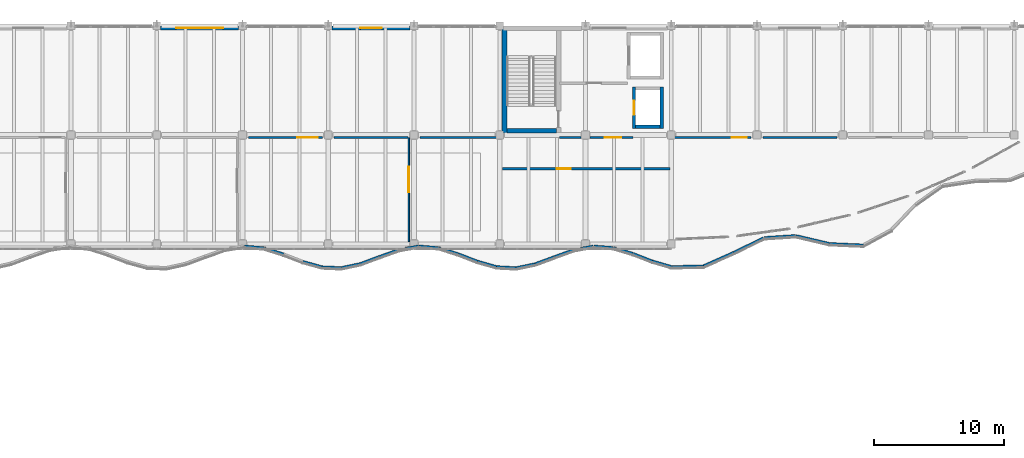
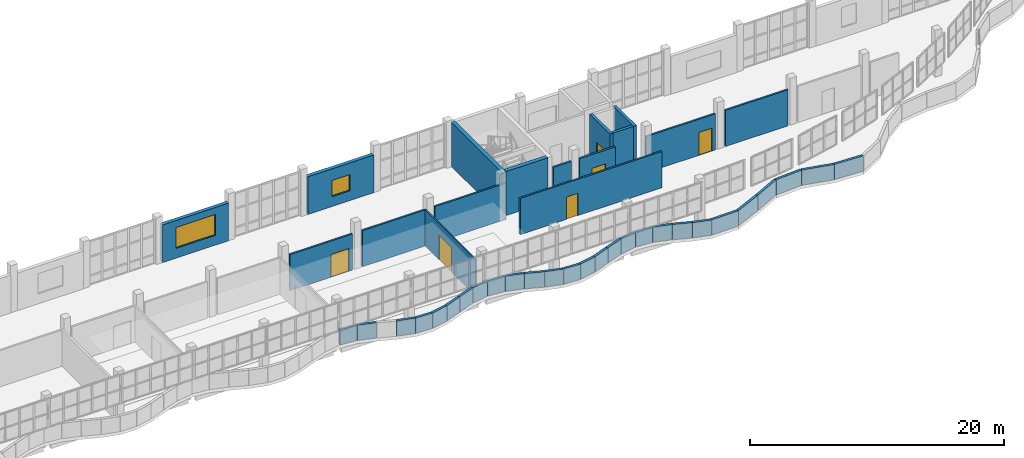
# One storey, part 49 of 76: 43 walls, 6 doors, 2 windows, 8 openings.
"""IFC4 building model written with IfcOpenShell, lengths in metres."""

from ifc_helpers import new_model, si_unit, direction, frame, frame_2d, origin, place, context, subcontext, project, spatial, rectangle, extrude, material, layer, layer_set, type_object, element, fill, save


model = new_model("IFC4")

# Units and contexts
model_context = context("Model", 3, precision=1e-05, world=origin(), true_north=direction((0.0, 1.0)))
body_context = subcontext(model_context, "Body", "Model", "MODEL_VIEW")
ifc_project = project(units=[si_unit("LENGTHUNIT", "METRE"), si_unit("AREAUNIT", "SQUARE_METRE"), si_unit("VOLUMEUNIT", "CUBIC_METRE"), si_unit("PLANEANGLEUNIT", "RADIAN"), si_unit("MASSUNIT", "GRAM", prefix="KILO")], contexts=[model_context])

# Site, building, storey
site_placement = place(None, origin())
site = spatial("IfcSite", under=ifc_project, at=site_placement, CompositionType="ELEMENT")
building_placement = place(site_placement, origin())
building = spatial("IfcBuilding", under=site, at=building_placement, Name="Qaldarim Faculty of Natural and Applied Sciences", CompositionType="ELEMENT")
storey_placement = place(building_placement, frame((0.0, 0.0, 9.89990234375)))
storey = spatial("IfcBuildingStorey", under=building, at=storey_placement, Name="L02", CompositionType="ELEMENT", Elevation=9.89990234375)

# Wall, opening, door
ifc_material_1 = material(Name="Painted gypsum partition board")
ifc_layer_1 = layer(ifc_material_1, 0.1201171875)
ifc_layer_set_1 = layer_set([ifc_layer_1], Name="Painted gypsum partition board")
wall_type_1 = type_object("IfcWallType", Name="AcousticPartition-120", PredefinedType="PARTITIONING", material=ifc_layer_set_1)
wall_1_placement = place(storey_placement, frame((92.0, 101.0, 0.0), z_axis=(0.0, 0.0, 1.0), x_axis=(0.0, 1.0, 0.0)))
wall_1 = element("IfcWall", 1, at=wall_1_placement, inside=storey, type_object=wall_type_1, Name="Interior partition PRT-L02-V4-SUB-3", PredefinedType="PARTITIONING", context=body_context, shape_type="SweptSolid", body=[
    extrude(rectangle(XDim=8.0, YDim=0.1201171875, at=frame_2d((4.0, 0.0))), origin(), (0.0, 0.0, 1.0), 3.489990234375),
])
opening_1_placement = place(wall_1_placement, frame((3.800048828125, 0.0, 0.0)))
opening_1 = element("IfcOpeningElement", 2, at=opening_1_placement, cuts=wall_1, Name="Opening ID13", PredefinedType="OPENING", context=body_context, shape_type="SweptSolid", body=[
    extrude(rectangle(XDim=1.949951171875, YDim=2.35009765625, at=frame_2d((0.97509765625, 1.175048828125))), frame((0.0, 0.070068359375, 0.0), z_axis=(0.0, -1.0, 0.0), x_axis=(1.0, 0.0, 0.0)), (0.0, 0.0, 1.0), 0.14013671875),
])
ifc_material_2 = material(Name="Oak hardwood", Category="wood")
door_type_1 = type_object("IfcDoorType", Name="SymposiumDoubleDoor-1950x2350", OperationType="NOTDEFINED", PredefinedType="DOOR", material=ifc_material_2)
door_1_placement = place(opening_1_placement, origin())
door_1 = element("IfcDoor", 3, at=door_1_placement, inside=storey, type_object=door_type_1, Name="Interior door D-L02-328", OperationType="SINGLE_SWING_LEFT", OverallHeight=2.35009765625, OverallWidth=1.949951171875, PredefinedType="DOOR", context=body_context, shape_type="SweptSolid", body=[
    extrude(rectangle(XDim=1.949951171875, YDim=2.35009765625, at=frame_2d((0.97509765625, 1.175048828125))), frame((0.0, 0.02490234375, 0.0), z_axis=(0.0, -1.0, 0.0), x_axis=(1.0, 0.0, 0.0)), (0.0, 0.0, 1.0), 0.050048828125),
])
fill(opening_1, door_1)

# Walls
ifc_material_3 = material(Name="Concrete C50/60", Category="concrete")
ifc_layer_2 = layer(ifc_material_3, 0.360107421875)
ifc_layer_set_2 = layer_set([ifc_layer_2], Name="Concrete C50/60")
wall_type_2 = type_object("IfcWallType", Name="CoreShearWall-360", PredefinedType="SHEAR", material=ifc_layer_set_2)
wall_2_placement = place(storey_placement, frame((99.3701171875, 109.340087890625, 0.0), z_axis=(0.0, 0.0, 1.0), x_axis=(0.0, 1.0, 0.0)))
element("IfcWall", 4, at=wall_2_placement, inside=storey, type_object=wall_type_2, Name="Core stair ST-B1 west shear wall L02", PredefinedType="SHEAR", context=body_context, shape_type="SweptSolid", body=[
    extrude(rectangle(XDim=8.08984375, YDim=0.360107421875, at=frame_2d((4.044921875, 0.0))), origin(), (0.0, 0.0, 1.0), 4.239990234375),
])
wall_3_placement = place(storey_placement, frame((99.550048828125, 109.52001953125, 0.0), z_axis=(0.0, 0.0, 1.0), x_axis=(1.0, 0.0, 0.0)))
element("IfcWall", 5, at=wall_3_placement, inside=storey, type_object=wall_type_2, Name="Core stair ST-B1 south shear wall L02", PredefinedType="SHEAR", context=body_context, shape_type="SweptSolid", body=[
    extrude(rectangle(XDim=3.800048828125, YDim=0.360107421875, at=frame_2d((1.89990234375, 0.0))), origin(), (0.0, 0.0, 1.0), 4.239990234375),
])

# Wall, opening, window
ifc_material_4 = material(Name="Precast concrete C40/50", Category="concrete")
ifc_layer_3 = layer(ifc_material_4, 0.320068359375)
ifc_layer_set_3 = layer_set([ifc_layer_3], Name="Precast concrete C40/50")
wall_type_3 = type_object("IfcWallType", Name="ExteriorLimestoneWall-320", PredefinedType="SOLIDWALL", material=ifc_layer_set_3)
wall_4_placement = place(storey_placement, frame((78.905029296875, 117.43994140625, 0.0), z_axis=(0.0, 0.0, 1.0), x_axis=(-1.0, 0.0, 0.0)))
wall_4 = element("IfcWall", 6, at=wall_4_placement, inside=storey, type_object=wall_type_3, Name="Exterior wall EW01 L02 N X12Y14", PredefinedType="SOLIDWALL", context=body_context, shape_type="SweptSolid", body=[
    extrude(rectangle(XDim=6.010009765625, YDim=0.320068359375, at=frame_2d((3.0048828125, 0.0))), origin(), (0.0, 0.0, 1.0), 3.625),
])
opening_2_placement = place(wall_4_placement, frame((1.205078125, 0.0, 0.949951171875)))
opening_2 = element("IfcOpeningElement", 7, at=opening_2_placement, cuts=wall_4, Name="Opening WN07", PredefinedType="OPENING", context=body_context, shape_type="SweptSolid", body=[
    extrude(rectangle(XDim=3.60009765625, YDim=2.0, at=frame_2d((1.800048828125, 1.0))), frame((0.0, 0.169921875, 0.0), z_axis=(0.0, -1.0, 0.0), x_axis=(1.0, 0.0, 0.0)), (0.0, 0.0, 1.0), 0.340087890625),
])
ifc_material_5 = material(Name="Insulated low-e double glazing", Category="glass")
window_type_1 = type_object("IfcWindowType", Name="Window-3600x2000", PartitioningType="TRIPLE_PANEL_VERTICAL", PredefinedType="WINDOW", material=ifc_material_5)
window_1_placement = place(opening_2_placement, origin())
window_1 = element("IfcWindow", 8, at=window_1_placement, inside=storey, type_object=window_type_1, Name="Facade window WN07 L02 N X12Y14", OverallHeight=2.0, OverallWidth=3.60009765625, PartitioningType="SINGLE_PANEL", PredefinedType="WINDOW", context=body_context, shape_type="SweptSolid", body=[
    extrude(rectangle(XDim=3.60009765625, YDim=2.0, at=frame_2d((1.800048828125, 1.0))), frame((0.0, 0.030029296875, 0.0), z_axis=(0.0, -1.0, 0.0), x_axis=(1.0, 0.0, 0.0)), (0.0, 0.0, 1.0), 0.06005859375),
])
fill(opening_2, window_1)

wall_5_placement = place(storey_placement, frame((92.10498046875, 117.43994140625, 0.0), z_axis=(0.0, 0.0, 1.0), x_axis=(-1.0, 0.0, 0.0)))
wall_5 = element("IfcWall", 9, at=wall_5_placement, inside=storey, type_object=wall_type_3, Name="Exterior wall EW01 L02 N X14Y14", PredefinedType="SOLIDWALL", context=body_context, shape_type="SweptSolid", body=[
    extrude(rectangle(XDim=6.010009765625, YDim=0.320068359375, at=frame_2d((3.0048828125, 0.0))), origin(), (0.0, 0.0, 1.0), 3.625),
])
opening_3_placement = place(wall_5_placement, frame((2.179931640625, 0.0, 0.949951171875)))
opening_3 = element("IfcOpeningElement", 10, at=opening_3_placement, cuts=wall_5, Name="Opening WN10", PredefinedType="OPENING", context=body_context, shape_type="SweptSolid", body=[
    extrude(rectangle(XDim=1.64990234375, YDim=1.550048828125, at=frame_2d((0.824951171875, 0.77490234375))), frame((0.0, 0.169921875, 0.0), z_axis=(0.0, -1.0, 0.0), x_axis=(1.0, 0.0, 0.0)), (0.0, 0.0, 1.0), 0.340087890625),
])
window_type_2 = type_object("IfcWindowType", Name="LabWindow-1650x1550", PartitioningType="DOUBLE_PANEL_VERTICAL", PredefinedType="WINDOW", material=ifc_material_5)
window_2_placement = place(opening_3_placement, origin())
window_2 = element("IfcWindow", 11, at=window_2_placement, inside=storey, type_object=window_type_2, Name="Facade window WN10 L02 N X14Y14", OverallHeight=1.550048828125, OverallWidth=1.64990234375, PartitioningType="SINGLE_PANEL", PredefinedType="WINDOW", context=body_context, shape_type="SweptSolid", body=[
    extrude(rectangle(XDim=1.64990234375, YDim=1.550048828125, at=frame_2d((0.824951171875, 0.77490234375))), frame((0.0, 0.030029296875, 0.0), z_axis=(0.0, -1.0, 0.0), x_axis=(1.0, 0.0, 0.0)), (0.0, 0.0, 1.0), 0.06005859375),
])
fill(opening_3, window_2)

# Wall, opening, door
ifc_material_6 = material(Name="Concrete C40/50", Category="concrete")
ifc_layer_4 = layer(ifc_material_6, 0.159912109375)
ifc_layer_set_4 = layer_set([ifc_layer_4], Name="Concrete C40/50")
wall_type_4 = type_object("IfcWallType", Name="FireCorridorWall-160", PredefinedType="PARTITIONING", material=ifc_layer_set_4)
wall_6_placement = place(storey_placement, frame((79.64990234375, 109.0, 0.0), z_axis=(0.0, 0.0, 1.0), x_axis=(1.0, 0.0, 0.0)))
wall_6 = element("IfcWall", 12, at=wall_6_placement, inside=storey, type_object=wall_type_4, Name="Interior partition PRT-L02-V4-CORSW-S8", PredefinedType="PARTITIONING", context=body_context, shape_type="SweptSolid", body=[
    extrude(rectangle(XDim=5.7001953125, YDim=0.159912109375, at=frame_2d((2.85009765625, 0.0))), origin(), (0.0, 0.0, 1.0), 3.47509765625),
])
opening_4_placement = place(wall_6_placement, frame((3.75, 0.0, 0.0)))
opening_4 = element("IfcOpeningElement", 13, at=opening_4_placement, cuts=wall_6, Name="Opening ID06", PredefinedType="OPENING", context=body_context, shape_type="SweptSolid", body=[
    extrude(rectangle(XDim=1.60009765625, YDim=2.199951171875, at=frame_2d((0.800048828125, 1.10009765625))), frame((0.0, 0.08984375, 0.0), z_axis=(0.0, -1.0, 0.0), x_axis=(1.0, 0.0, 0.0)), (0.0, 0.0, 1.0), 0.179931640625),
])
ifc_material_7 = material(Name="Architectural stainless steel 316", Category="steel")
door_type_2 = type_object("IfcDoorType", Name="LabEquipmentDoubleDoor-1600x2200", OperationType="NOTDEFINED", PredefinedType="DOOR", material=ifc_material_7)
door_2_placement = place(opening_4_placement, origin())
door_2 = element("IfcDoor", 14, at=door_2_placement, inside=storey, type_object=door_type_2, Name="Interior door D-L02-216", OperationType="DOUBLE_DOOR_SINGLE_SWING", OverallHeight=2.199951171875, OverallWidth=1.60009765625, PredefinedType="DOOR", context=body_context, shape_type="SweptSolid", body=[
    extrude(rectangle(XDim=1.60009765625, YDim=2.199951171875, at=frame_2d((0.800048828125, 1.10009765625))), frame((0.0, 0.02490234375, 0.0), z_axis=(0.0, -1.0, 0.0), x_axis=(1.0, 0.0, 0.0)), (0.0, 0.0, 1.0), 0.050048828125),
])
fill(opening_4, door_2)

# Walls
wall_7_placement = place(storey_placement, frame((86.25, 109.0, 0.0), z_axis=(0.0, 0.0, 1.0), x_axis=(1.0, 0.0, 0.0)))
element("IfcWall", 15, at=wall_7_placement, inside=storey, type_object=wall_type_4, Name="Interior partition PRT-L02-V4-CORSW-S9", PredefinedType="PARTITIONING", context=body_context, shape_type="SweptSolid", body=[
    extrude(rectangle(XDim=5.699951171875, YDim=0.159912109375, at=frame_2d((2.85009765625, 0.0))), origin(), (0.0, 0.0, 1.0), 3.47509765625),
])
wall_8_placement = place(storey_placement, frame((92.85009765625, 109.0, 0.0), z_axis=(0.0, 0.0, 1.0), x_axis=(1.0, 0.0, 0.0)))
element("IfcWall", 16, at=wall_8_placement, inside=storey, type_object=wall_type_4, Name="Interior partition PRT-L02-V4-CORSW-S10", PredefinedType="PARTITIONING", context=body_context, shape_type="SweptSolid", body=[
    extrude(rectangle(XDim=6.449951171875, YDim=0.159912109375, at=frame_2d((3.22509765625, 0.0))), origin(), (0.0, 0.0, 1.0), 3.47509765625),
])

# Wall, opening, door
wall_9_placement = place(storey_placement, frame((112.0, 109.0, 0.0), z_axis=(0.0, 0.0, 1.0), x_axis=(1.0, 0.0, 0.0)))
wall_9 = element("IfcWall", 17, at=wall_9_placement, inside=storey, type_object=wall_type_4, Name="Interior partition PRT-L02-V4-CORSE-S1", PredefinedType="PARTITIONING", context=body_context, shape_type="SweptSolid", body=[
    extrude(rectangle(XDim=6.35009765625, YDim=0.159912109375, at=frame_2d((3.175048828125, 0.0))), origin(), (0.0, 0.0, 1.0), 3.47509765625),
])
opening_5_placement = place(wall_9_placement, frame((4.85009765625, 0.0, 0.0)))
opening_5 = element("IfcOpeningElement", 18, at=opening_5_placement, cuts=wall_9, Name="Opening ID09", PredefinedType="OPENING", context=body_context, shape_type="SweptSolid", body=[
    extrude(rectangle(XDim=1.14990234375, YDim=2.199951171875, at=frame_2d((0.574951171875, 1.10009765625))), frame((0.0, 0.08984375, 0.0), z_axis=(0.0, -1.0, 0.0), x_axis=(1.0, 0.0, 0.0)), (0.0, 0.0, 1.0), 0.179931640625),
])
door_type_3 = type_object("IfcDoorType", Name="CleanroomAirlockDoor-1150x2200", OperationType="NOTDEFINED", PredefinedType="DOOR", material=ifc_material_7)
door_3_placement = place(opening_5_placement, origin())
door_3 = element("IfcDoor", 19, at=door_3_placement, inside=storey, type_object=door_type_3, Name="Interior door D-L02-217", OperationType="SINGLE_SWING_LEFT", OverallHeight=2.199951171875, OverallWidth=1.14990234375, PredefinedType="DOOR", context=body_context, shape_type="SweptSolid", body=[
    extrude(rectangle(XDim=1.14990234375, YDim=2.199951171875, at=frame_2d((0.574951171875, 1.10009765625))), frame((0.0, 0.02490234375, 0.0), z_axis=(0.0, -1.0, 0.0), x_axis=(1.0, 0.0, 0.0)), (0.0, 0.0, 1.0), 0.050048828125),
])
fill(opening_5, door_3)

# Wall
wall_10_placement = place(storey_placement, frame((119.25, 109.0, 0.0), z_axis=(0.0, 0.0, 1.0), x_axis=(1.0, 0.0, 0.0)))
element("IfcWall", 20, at=wall_10_placement, inside=storey, type_object=wall_type_4, Name="Interior partition PRT-L02-V4-CORSE-S2", PredefinedType="PARTITIONING", context=body_context, shape_type="SweptSolid", body=[
    extrude(rectangle(XDim=5.699951171875, YDim=0.159912109375, at=frame_2d((2.85009765625, 0.0))), origin(), (0.0, 0.0, 1.0), 3.47509765625),
])

# Wall, opening, door
wall_11_placement = place(storey_placement, frame((99.199951171875, 106.60009765625, 0.0), z_axis=(0.0, 0.0, 1.0), x_axis=(1.0, 0.0, 0.0)))
wall_11 = element("IfcWall", 21, at=wall_11_placement, inside=storey, type_object=wall_type_4, Name="Interior partition PRT-L02-V4-PRPN", PredefinedType="PARTITIONING", context=body_context, shape_type="SweptSolid", body=[
    extrude(rectangle(XDim=12.900146484375, YDim=0.159912109375, at=frame_2d((6.4501953125, 0.0))), origin(), (0.0, 0.0, 1.0), 3.489990234375),
])
opening_6_placement = place(wall_11_placement, frame((4.199951171875, 0.0, 0.0)))
opening_6 = element("IfcOpeningElement", 22, at=opening_6_placement, cuts=wall_11, Name="Opening ID02", PredefinedType="OPENING", context=body_context, shape_type="SweptSolid", body=[
    extrude(rectangle(XDim=1.050048828125, YDim=2.14990234375, at=frame_2d((0.52490234375, 1.074951171875))), frame((0.0, 0.08984375, 0.0), z_axis=(0.0, -1.0, 0.0), x_axis=(1.0, 0.0, 0.0)), (0.0, 0.0, 1.0), 0.179931640625),
])
door_type_4 = type_object("IfcDoorType", Name="AccessibleRoomDoor-1050x2150", OperationType="NOTDEFINED", PredefinedType="DOOR", material=ifc_material_2)
door_4_placement = place(opening_6_placement, origin())
door_4 = element("IfcDoor", 23, at=door_4_placement, inside=storey, type_object=door_type_4, Name="Interior door D-L02-394", OperationType="SINGLE_SWING_LEFT", OverallHeight=2.14990234375, OverallWidth=1.050048828125, PredefinedType="DOOR", context=body_context, shape_type="SweptSolid", body=[
    extrude(rectangle(XDim=1.050048828125, YDim=2.14990234375, at=frame_2d((0.52490234375, 1.074951171875))), frame((0.0, 0.02490234375, 0.0), z_axis=(0.0, -1.0, 0.0), x_axis=(1.0, 0.0, 0.0)), (0.0, 0.0, 1.0), 0.050048828125),
])
fill(opening_6, door_4)

# Wall
ifc_layer_5 = layer(ifc_material_6, 0.179931640625)
ifc_layer_set_5 = layer_set([ifc_layer_5], Name="Concrete C40/50")
wall_type_5 = type_object("IfcWallType", Name="LabFireCompartmentWall-180", PredefinedType="SOLIDWALL", material=ifc_layer_set_5)
wall_12_placement = place(storey_placement, frame((103.60009765625, 109.010009765625, 0.0), z_axis=(0.0, 0.0, 1.0), x_axis=(1.0, 0.0, 0.0)))
element("IfcWall", 24, at=wall_12_placement, inside=storey, type_object=wall_type_5, Name="Fire-fighting lobby south-west compartment wall Core B L02", PredefinedType="SOLIDWALL", context=body_context, shape_type="SweptSolid", body=[
    extrude(rectangle(XDim=1.64990234375, YDim=0.179931640625, at=frame_2d((0.824951171875, 0.0))), origin(), (0.0, 0.0, 1.0), 3.47509765625),
])

# Wall, opening, door
wall_13_placement = place(storey_placement, frame((105.949951171875, 109.010009765625, 0.0), z_axis=(0.0, 0.0, 1.0), x_axis=(1.0, 0.0, 0.0)))
wall_13 = element("IfcWall", 25, at=wall_13_placement, inside=storey, type_object=wall_type_5, Name="Fire-fighting lobby south compartment wall Core B L02", PredefinedType="SOLIDWALL", context=body_context, shape_type="SweptSolid", body=[
    extrude(rectangle(XDim=3.300048828125, YDim=0.179931640625, at=frame_2d((1.64990234375, 0.0))), origin(), (0.0, 0.0, 1.0), 3.47509765625),
])
opening_7_placement = place(wall_13_placement, frame((1.14990234375, 0.0, 0.0)))
opening_7 = element("IfcOpeningElement", 26, at=opening_7_placement, cuts=wall_13, Name="Opening ID04", PredefinedType="OPENING", context=body_context, shape_type="SweptSolid", body=[
    extrude(rectangle(XDim=1.25, YDim=2.14990234375, at=frame_2d((0.625, 1.074951171875))), frame((0.0, 0.099853515625, 0.0), z_axis=(0.0, -1.0, 0.0), x_axis=(1.0, 0.0, 0.0)), (0.0, 0.0, 1.0), 0.199951171875),
])
door_type_5 = type_object("IfcDoorType", Name="StairEnclosureFireDoor-1250x2150", OperationType="NOTDEFINED", PredefinedType="DOOR", material=ifc_material_7)
door_5_placement = place(opening_7_placement, origin())
door_5 = element("IfcDoor", 27, at=door_5_placement, inside=storey, type_object=door_type_5, Name="Fire-fighting lobby door Core B D-L02-642", OperationType="SINGLE_SWING_LEFT", OverallHeight=2.14990234375, OverallWidth=1.25, PredefinedType="DOOR", context=body_context, shape_type="SweptSolid", body=[
    extrude(rectangle(XDim=1.25, YDim=2.14990234375, at=frame_2d((0.625, 1.074951171875))), frame((0.0, 0.02490234375, 0.0), z_axis=(0.0, -1.0, 0.0), x_axis=(1.0, 0.0, 0.0)), (0.0, 0.0, 1.0), 0.050048828125),
])
fill(opening_7, door_5)

ifc_layer_6 = layer(ifc_material_6, 0.25)
ifc_layer_set_6 = layer_set([ifc_layer_6], Name="Concrete C40/50")
wall_type_6 = type_object("IfcWallType", Name="LiftShaftWall-250", PredefinedType="SHEAR", material=ifc_layer_set_6)
wall_14_placement = place(storey_placement, frame((109.324951171875, 109.699951171875, 0.0), z_axis=(0.0, 0.0, 1.0), x_axis=(0.0, 1.0, 0.0)))
wall_14 = element("IfcWall", 28, at=wall_14_placement, inside=storey, type_object=wall_type_6, Name="Lift LF-B1 front shaft wall L02", PredefinedType="SHEAR", context=body_context, shape_type="SweptSolid", body=[
    extrude(rectangle(XDim=3.199951171875, YDim=0.25, at=frame_2d((1.60009765625, 0.0))), origin(), (0.0, 0.0, 1.0), 4.239990234375),
])
opening_8_placement = place(wall_14_placement, frame((1.050048828125, 0.0, 0.0)))
opening_8 = element("IfcOpeningElement", 29, at=opening_8_placement, cuts=wall_14, Name="Opening LD01", PredefinedType="OPENING", context=body_context, shape_type="SweptSolid", body=[
    extrude(rectangle(XDim=1.10009765625, YDim=2.14990234375, at=frame_2d((0.550048828125, 1.074951171875))), frame((0.0, 0.135009765625, 0.0), z_axis=(0.0, -1.0, 0.0), x_axis=(1.0, 0.0, 0.0)), (0.0, 0.0, 1.0), 0.27001953125),
])
door_type_6 = type_object("IfcDoorType", Name="LiftLandingSlidingDoor-1100x2150", OperationType="NOTDEFINED", PredefinedType="DOOR", material=ifc_material_7)
door_6_placement = place(opening_8_placement, origin())
door_6 = element("IfcDoor", 30, at=door_6_placement, inside=storey, type_object=door_type_6, Name="Lift landing sliding door LF-B1 D-L02-625", OperationType="SLIDING_TO_LEFT", OverallHeight=2.14990234375, OverallWidth=1.10009765625, PredefinedType="DOOR", context=body_context, shape_type="SweptSolid", body=[
    extrude(rectangle(XDim=1.10009765625, YDim=2.14990234375, at=frame_2d((0.550048828125, 1.074951171875))), frame((0.0, 0.02490234375, 0.0), z_axis=(0.0, -1.0, 0.0), x_axis=(1.0, 0.0, 0.0)), (0.0, 0.0, 1.0), 0.050048828125),
])
fill(opening_8, door_6)

# Walls
wall_15_placement = place(storey_placement, frame((111.47509765625, 109.699951171875, 0.0), z_axis=(0.0, 0.0, 1.0), x_axis=(0.0, 1.0, 0.0)))
element("IfcWall", 31, at=wall_15_placement, inside=storey, type_object=wall_type_6, Name="Lift LF-B1 rear shaft wall L02", PredefinedType="SHEAR", context=body_context, shape_type="SweptSolid", body=[
    extrude(rectangle(XDim=3.199951171875, YDim=0.25, at=frame_2d((1.60009765625, 0.0))), origin(), (0.0, 0.0, 1.0), 4.239990234375),
])
wall_16_placement = place(storey_placement, frame((109.449951171875, 109.824951171875, 0.0), z_axis=(0.0, 0.0, 1.0), x_axis=(1.0, 0.0, 0.0)))
element("IfcWall", 32, at=wall_16_placement, inside=storey, type_object=wall_type_6, Name="Lift LF-B1 south shaft wall L02", PredefinedType="SHEAR", context=body_context, shape_type="SweptSolid", body=[
    extrude(rectangle(XDim=1.900146484375, YDim=0.25, at=frame_2d((0.9501953125, 0.0))), origin(), (0.0, 0.0, 1.0), 4.239990234375),
])
ifc_material_8 = material(Name="White architectural precast concrete C40/50", Category="concrete")
ifc_layer_7 = layer(ifc_material_8, 0.219970703125)
ifc_layer_set_7 = layer_set([ifc_layer_7], Name="White architectural precast concrete C40/50")
wall_type_7 = type_object("IfcWallType", Name="WhitePrecastWaveBand-220", PredefinedType="SOLIDWALL", material=ifc_layer_set_7)
wall_17_placement = place(storey_placement, frame((79.340087890625, 100.635009765625, 0.0), z_axis=(0.0, 0.0, 1.0), x_axis=(0.995649796121, -0.093174478716, 0.0)))
element("IfcWall", 33, at=wall_17_placement, inside=storey, type_object=wall_type_7, Name="White precast wave spandrel band L02 chord 32", PredefinedType="SOLIDWALL", context=body_context, shape_type="SweptSolid", body=[
    extrude(rectangle(XDim=1.50146484375, YDim=0.219970703125, at=frame_2d((0.750732421875, 0.0))), origin(), (0.0, 0.0, 1.0), 1.4501953125),
])
wall_18_placement = place(storey_placement, frame((80.860107421875, 100.489990234375, 0.0), z_axis=(0.0, 0.0, 1.0), x_axis=(0.95396570108, -0.299915723433, 0.0)))
element("IfcWall", 34, at=wall_18_placement, inside=storey, type_object=wall_type_7, Name="White precast wave spandrel band L02 chord 33", PredefinedType="SOLIDWALL", context=body_context, shape_type="SweptSolid", body=[
    extrude(rectangle(XDim=1.56689453125, YDim=0.219970703125, at=frame_2d((0.783447265625, 0.0))), origin(), (0.0, 0.0, 1.0), 1.4501953125),
])
wall_19_placement = place(storey_placement, frame((83.85009765625, 99.445068359375, 0.0), z_axis=(0.0, 0.0, 1.0), x_axis=(0.962464465264, -0.271407724843, 0.0)))
element("IfcWall", 35, at=wall_19_placement, inside=storey, type_object=wall_type_7, Name="White precast wave spandrel band L02 chord 35", PredefinedType="SOLIDWALL", context=body_context, shape_type="SweptSolid", body=[
    extrude(rectangle(XDim=1.548095703125, YDim=0.219970703125, at=frame_2d((0.77392578125, 0.0))), origin(), (0.0, 0.0, 1.0), 1.4501953125),
])
wall_20_placement = place(storey_placement, frame((85.304931640625, 99.030029296875, 0.0), z_axis=(0.0, 0.0, 1.0), x_axis=(0.999058004299, -0.043394746758, 0.0)))
element("IfcWall", 36, at=wall_20_placement, inside=storey, type_object=wall_type_7, Name="White precast wave spandrel band L02 chord 36", PredefinedType="SOLIDWALL", context=body_context, shape_type="SweptSolid", body=[
    extrude(rectangle(XDim=1.49658203125, YDim=0.219970703125, at=frame_2d((0.748291015625, 0.0))), origin(), (0.0, 0.0, 1.0), 1.4501953125),
])
wall_21_placement = place(storey_placement, frame((86.764892578125, 98.9599609375, 0.0), z_axis=(0.0, 0.0, 1.0), x_axis=(0.978526043785, 0.206123219543, 0.0)))
element("IfcWall", 37, at=wall_21_placement, inside=storey, type_object=wall_type_7, Name="White precast wave spandrel band L02 chord 37", PredefinedType="SOLIDWALL", context=body_context, shape_type="SweptSolid", body=[
    extrude(rectangle(XDim=1.52783203125, YDim=0.219970703125, at=frame_2d((0.763916015625, 0.0))), origin(), (0.0, 0.0, 1.0), 1.4501953125),
])
wall_22_placement = place(storey_placement, frame((88.239990234375, 99.27001953125, 0.0), z_axis=(0.0, 0.0, 1.0), x_axis=(0.937506622081, 0.347967431743, 0.0)))
element("IfcWall", 38, at=wall_22_placement, inside=storey, type_object=wall_type_7, Name="White precast wave spandrel band L02 chord 38", PredefinedType="SOLIDWALL", context=body_context, shape_type="SweptSolid", body=[
    extrude(rectangle(XDim=1.5947265625, YDim=0.219970703125, at=frame_2d((0.79736328125, 0.0))), origin(), (0.0, 0.0, 1.0), 1.4501953125),
])
wall_23_placement = place(storey_placement, frame((89.739990234375, 99.824951171875, 0.0), z_axis=(0.0, 0.0, 1.0), x_axis=(0.941505155303, 0.336998579429, 0.0)))
element("IfcWall", 39, at=wall_23_placement, inside=storey, type_object=wall_type_7, Name="White precast wave spandrel band L02 chord 39", PredefinedType="SOLIDWALL", context=body_context, shape_type="SweptSolid", body=[
    extrude(rectangle(XDim=1.587890625, YDim=0.219970703125, at=frame_2d((0.7939453125, 0.0))), origin(), (0.0, 0.0, 1.0), 1.4501953125),
])
wall_24_placement = place(storey_placement, frame((91.2548828125, 100.3701171875, 0.0), z_axis=(0.0, 0.0, 1.0), x_axis=(0.984665168251, 0.174454883663, 0.0)))
element("IfcWall", 40, at=wall_24_placement, inside=storey, type_object=wall_type_7, Name="White precast wave spandrel band L02 chord 40", PredefinedType="SOLIDWALL", context=body_context, shape_type="SweptSolid", body=[
    extrude(rectangle(XDim=1.518310546875, YDim=0.219970703125, at=frame_2d((0.75927734375, 0.0))), origin(), (0.0, 0.0, 1.0), 1.4501953125),
])
wall_25_placement = place(storey_placement, frame((92.784912109375, 100.635009765625, 0.0), z_axis=(0.0, 0.0, 1.0), x_axis=(0.996233870581, -0.086706834262, 0.0)))
element("IfcWall", 41, at=wall_25_placement, inside=storey, type_object=wall_type_7, Name="White precast wave spandrel band L02 chord 41", PredefinedType="SOLIDWALL", context=body_context, shape_type="SweptSolid", body=[
    extrude(rectangle(XDim=1.500732421875, YDim=0.219970703125, at=frame_2d((0.75048828125, 0.0))), origin(), (0.0, 0.0, 1.0), 1.4501953125),
])
wall_26_placement = place(storey_placement, frame((94.31005859375, 100.5, 0.0), z_axis=(0.0, 0.0, 1.0), x_axis=(0.955507790724, -0.294965865595, 0.0)))
element("IfcWall", 42, at=wall_26_placement, inside=storey, type_object=wall_type_7, Name="White precast wave spandrel band L02 chord 42", PredefinedType="SOLIDWALL", context=body_context, shape_type="SweptSolid", body=[
    extrude(rectangle(XDim=1.559326171875, YDim=0.219970703125, at=frame_2d((0.77978515625, 0.0))), origin(), (0.0, 0.0, 1.0), 1.4501953125),
])
wall_27_placement = place(storey_placement, frame((95.81005859375, 100.034912109375, 0.0), z_axis=(0.0, 0.0, 1.0), x_axis=(0.932321500377, -0.361630501943, 0.0)))
element("IfcWall", 43, at=wall_27_placement, inside=storey, type_object=wall_type_7, Name="White precast wave spandrel band L02 chord 43", PredefinedType="SOLIDWALL", context=body_context, shape_type="SweptSolid", body=[
    extrude(rectangle(XDim=1.603271484375, YDim=0.219970703125, at=frame_2d((0.8017578125, 0.0))), origin(), (0.0, 0.0, 1.0), 1.4501953125),
])
wall_28_placement = place(storey_placement, frame((97.294921875, 99.4599609375, 0.0), z_axis=(0.0, 0.0, 1.0), x_axis=(0.961884667782, -0.273455455031, 0.0)))
element("IfcWall", 44, at=wall_28_placement, inside=storey, type_object=wall_type_7, Name="White precast wave spandrel band L02 chord 44", PredefinedType="SOLIDWALL", context=body_context, shape_type="SweptSolid", body=[
    extrude(rectangle(XDim=1.554443359375, YDim=0.219970703125, at=frame_2d((0.77734375, 0.0))), origin(), (0.0, 0.0, 1.0), 1.4501953125),
])
wall_29_placement = place(storey_placement, frame((98.7548828125, 99.0400390625, 0.0), z_axis=(0.0, 0.0, 1.0), x_axis=(0.998568754364, -0.05348310768, 0.0)))
element("IfcWall", 45, at=wall_29_placement, inside=storey, type_object=wall_type_7, Name="White precast wave spandrel band L02 chord 45", PredefinedType="SOLIDWALL", context=body_context, shape_type="SweptSolid", body=[
    extrude(rectangle(XDim=1.497314453125, YDim=0.219970703125, at=frame_2d((0.74853515625, 0.0))), origin(), (0.0, 0.0, 1.0), 1.4501953125),
])
wall_30_placement = place(storey_placement, frame((100.215087890625, 98.955078125, 0.0), z_axis=(0.0, 0.0, 1.0), x_axis=(0.979822609842, 0.199869090265, 0.0)))
element("IfcWall", 46, at=wall_30_placement, inside=storey, type_object=wall_type_7, Name="White precast wave spandrel band L02 chord 46", PredefinedType="SOLIDWALL", context=body_context, shape_type="SweptSolid", body=[
    extrude(rectangle(XDim=1.525634765625, YDim=0.219970703125, at=frame_2d((0.7626953125, 0.0))), origin(), (0.0, 0.0, 1.0), 1.4501953125),
])
wall_31_placement = place(storey_placement, frame((101.68994140625, 99.2548828125, 0.0), z_axis=(0.0, 0.0, 1.0), x_axis=(0.938502621019, 0.345272110574, 0.0)))
element("IfcWall", 47, at=wall_31_placement, inside=storey, type_object=wall_type_7, Name="White precast wave spandrel band L02 chord 47", PredefinedType="SOLIDWALL", context=body_context, shape_type="SweptSolid", body=[
    extrude(rectangle(XDim=1.593017578125, YDim=0.219970703125, at=frame_2d((0.79638671875, 0.0))), origin(), (0.0, 0.0, 1.0), 1.4501953125),
])
wall_32_placement = place(storey_placement, frame((103.18505859375, 99.804931640625, 0.0), z_axis=(0.0, 0.0, 1.0), x_axis=(0.940508911561, 0.339769020476, 0.0)))
element("IfcWall", 48, at=wall_32_placement, inside=storey, type_object=wall_type_7, Name="White precast wave spandrel band L02 chord 48", PredefinedType="SOLIDWALL", context=body_context, shape_type="SweptSolid", body=[
    extrude(rectangle(XDim=1.58935546875, YDim=0.219970703125, at=frame_2d((0.794677734375, 0.0))), origin(), (0.0, 0.0, 1.0), 1.4501953125),
])
wall_33_placement = place(storey_placement, frame((104.705078125, 100.35498046875, 0.0), z_axis=(0.0, 0.0, 1.0), x_axis=(0.983508119514, 0.180863978862, 0.0)))
element("IfcWall", 49, at=wall_33_placement, inside=storey, type_object=wall_type_7, Name="White precast wave spandrel band L02 chord 49", PredefinedType="SOLIDWALL", context=body_context, shape_type="SweptSolid", body=[
    extrude(rectangle(XDim=1.52001953125, YDim=0.219970703125, at=frame_2d((0.760009765625, 0.0))), origin(), (0.0, 0.0, 1.0), 1.4501953125),
])
wall_34_placement = place(storey_placement, frame((106.235107421875, 100.6298828125, 0.0), z_axis=(0.0, 0.0, 1.0), x_axis=(0.997035234424, -0.076946353501, 0.0)))
element("IfcWall", 50, at=wall_34_placement, inside=storey, type_object=wall_type_7, Name="White precast wave spandrel band L02 chord 50", PredefinedType="SOLIDWALL", context=body_context, shape_type="SweptSolid", body=[
    extrude(rectangle(XDim=1.494384765625, YDim=0.219970703125, at=frame_2d((0.7470703125, 0.0))), origin(), (0.0, 0.0, 1.0), 1.4501953125),
])
wall_35_placement = place(storey_placement, frame((107.7548828125, 100.510009765625, 0.0), z_axis=(0.0, 0.0, 1.0), x_axis=(0.957576314427, -0.288179808538, 0.0)))
element("IfcWall", 51, at=wall_35_placement, inside=storey, type_object=wall_type_7, Name="White precast wave spandrel band L02 chord 51", PredefinedType="SOLIDWALL", context=body_context, shape_type="SweptSolid", body=[
    extrude(rectangle(XDim=1.561279296875, YDim=0.219970703125, at=frame_2d((0.78076171875, 0.0))), origin(), (0.0, 0.0, 1.0), 1.4501953125),
])
wall_36_placement = place(storey_placement, frame((109.260009765625, 100.054931640625, 0.0), z_axis=(0.0, 0.0, 1.0), x_axis=(0.932321500377, -0.361630501943, 0.0)))
element("IfcWall", 52, at=wall_36_placement, inside=storey, type_object=wall_type_7, Name="White precast wave spandrel band L02 chord 52", PredefinedType="SOLIDWALL", context=body_context, shape_type="SweptSolid", body=[
    extrude(rectangle(XDim=1.603271484375, YDim=0.219970703125, at=frame_2d((0.8017578125, 0.0))), origin(), (0.0, 0.0, 1.0), 1.4501953125),
])
wall_37_placement = place(storey_placement, frame((110.7451171875, 99.47998046875, 0.0), z_axis=(0.0, 0.0, 1.0), x_axis=(0.960163172601, -0.279439943422, 0.0)))
element("IfcWall", 53, at=wall_37_placement, inside=storey, type_object=wall_type_7, Name="White precast wave spandrel band L02 chord 53", PredefinedType="SOLIDWALL", context=body_context, shape_type="SweptSolid", body=[
    extrude(rectangle(XDim=1.556884765625, YDim=0.219970703125, at=frame_2d((0.7783203125, 0.0))), origin(), (0.0, 0.0, 1.0), 1.4501953125),
])
wall_38_placement = place(storey_placement, frame((112.199951171875, 99.050048828125, 0.0), z_axis=(0.0, 0.0, 1.0), x_axis=(0.999869181881, 0.016174644489, 0.0)))
element("IfcWall", 54, at=wall_38_placement, inside=storey, type_object=wall_type_7, Name="White precast wave spandrel band L02 chord 54", PredefinedType="SOLIDWALL", context=body_context, shape_type="SweptSolid", body=[
    extrude(rectangle(XDim=2.475341796875, YDim=0.219970703125, at=frame_2d((1.23779296875, 0.0))), origin(), (0.0, 0.0, 1.0), 1.4501953125),
])
wall_39_placement = place(storey_placement, frame((114.6201171875, 99.080078125, 0.0), z_axis=(0.0, 0.0, 1.0), x_axis=(0.91341863972, 0.407021361371, 0.0)))
element("IfcWall", 55, at=wall_39_placement, inside=storey, type_object=wall_type_7, Name="White precast wave spandrel band L02 chord 55", PredefinedType="SOLIDWALL", context=body_context, shape_type="SweptSolid", body=[
    extrude(rectangle(XDim=2.616455078125, YDim=0.219970703125, at=frame_2d((1.30810546875, 0.0))), origin(), (0.0, 0.0, 1.0), 1.4501953125),
])
wall_40_placement = place(storey_placement, frame((117.0048828125, 100.139892578125, 0.0), z_axis=(0.0, 0.0, 1.0), x_axis=(0.898687932418, 0.438588645688, 0.0)))
element("IfcWall", 56, at=wall_40_placement, inside=storey, type_object=wall_type_7, Name="White precast wave spandrel band L02 chord 56", PredefinedType="SOLIDWALL", context=body_context, shape_type="SweptSolid", body=[
    extrude(rectangle(XDim=2.56494140625, YDim=0.219970703125, at=frame_2d((1.282470703125, 0.0))), origin(), (0.0, 0.0, 1.0), 1.4501953125),
])
wall_41_placement = place(storey_placement, frame((119.360107421875, 101.280029296875, 0.0), z_axis=(0.0, 0.0, 1.0), x_axis=(0.997928457387, 0.064333458928, 0.0)))
element("IfcWall", 57, at=wall_41_placement, inside=storey, type_object=wall_type_7, Name="White precast wave spandrel band L02 chord 57", PredefinedType="SOLIDWALL", context=body_context, shape_type="SweptSolid", body=[
    extrude(rectangle(XDim=2.40966796875, YDim=0.219970703125, at=frame_2d((1.204833984375, 0.0))), origin(), (0.0, 0.0, 1.0), 1.4501953125),
])
wall_42_placement = place(storey_placement, frame((121.804931640625, 101.429931640625, 0.0), z_axis=(0.0, 0.0, 1.0), x_axis=(0.973442192449, -0.228932955166, 0.0)))
element("IfcWall", 58, at=wall_42_placement, inside=storey, type_object=wall_type_7, Name="White precast wave spandrel band L02 chord 58", PredefinedType="SOLIDWALL", context=body_context, shape_type="SweptSolid", body=[
    extrude(rectangle(XDim=2.686279296875, YDim=0.219970703125, at=frame_2d((1.34326171875, 0.0))), origin(), (0.0, 0.0, 1.0), 1.4501953125),
])
wall_43_placement = place(storey_placement, frame((124.39501953125, 100.820068359375, 0.0), z_axis=(0.0, 0.0, 1.0), x_axis=(0.999015940193, -0.044352578738, 0.0)))
element("IfcWall", 59, at=wall_43_placement, inside=storey, type_object=wall_type_7, Name="White precast wave spandrel band L02 chord 59", PredefinedType="SOLIDWALL", context=body_context, shape_type="SweptSolid", body=[
    extrude(rectangle(XDim=2.592529296875, YDim=0.219970703125, at=frame_2d((1.29638671875, 0.0))), origin(), (0.0, 0.0, 1.0), 1.4501953125),
])

save(model, "model.ifc")
